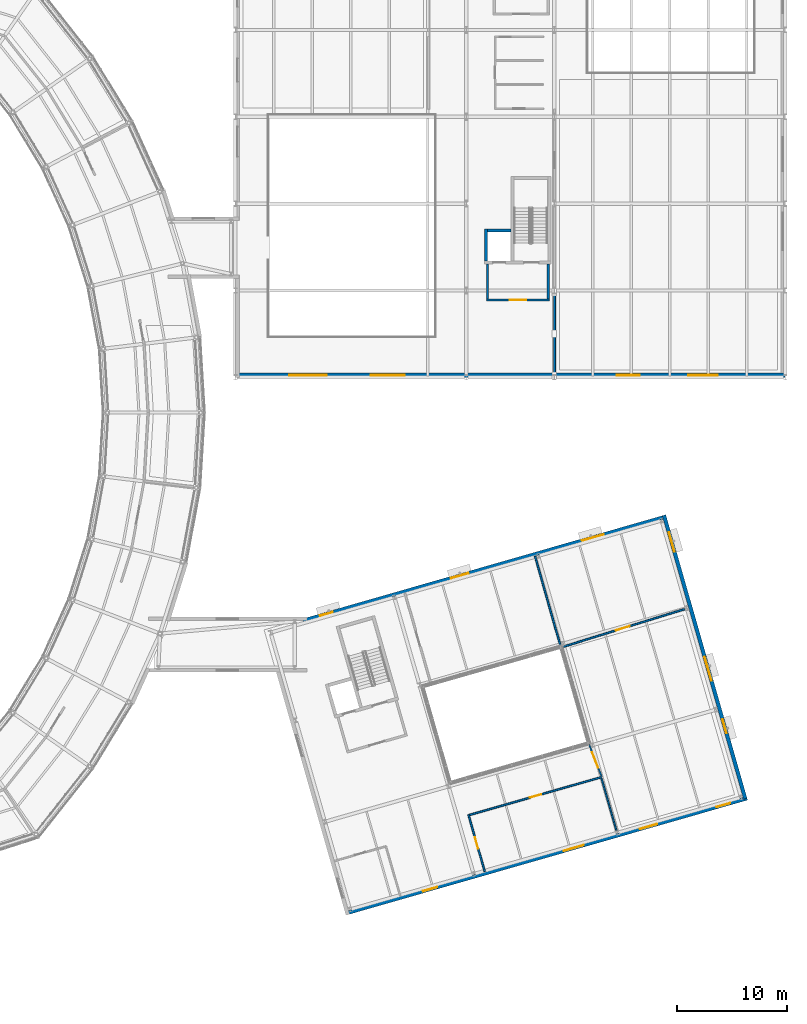
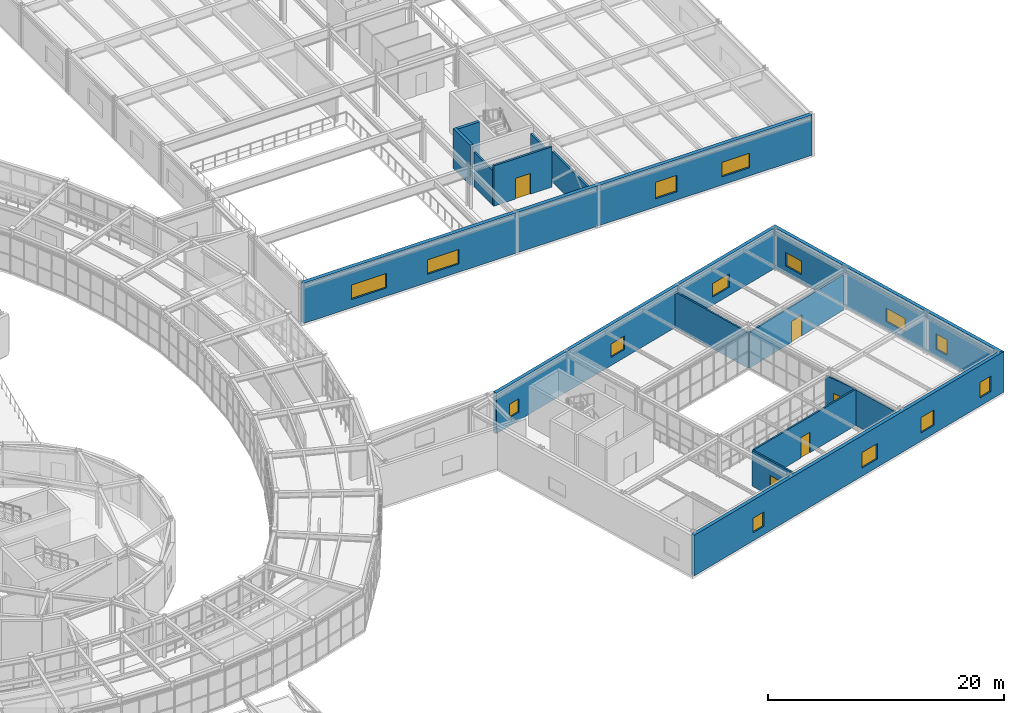
# One storey, part 82 of 103: 16 walls, 14 windows, 5 doors, 19 openings.
"""IFC4 building model written with IfcOpenShell, lengths in metres."""

import ifcopenshell
import ifcopenshell.guid

model = None  # the IFC model being written
_history = None  # IfcOwnerHistory: only IFC2X3 demands one
_inside = {}  # id of a spatial element -> (the spatial element, [elements in it])
_under = {}  # id of a project, library or spatial element -> (it, [spatial elements below it])
_declared = {}  # id of a project -> (the project, [libraries it declares])
_typed = {}  # id of a type object -> (the type object, [elements of that type])
_made_of = {}  # id of a material, layer set ... -> (it, [elements and type objects made of it])


def new_model(schema):
    """Start an empty IFC model of exactly this schema.

    Asked for "IFC4X3", IfcOpenShell would pick the latest addendum, in which some entities
    have other attributes; the version numbers below select the first issue.
    IFC2X3 requires an IfcOwnerHistory on every rooted entity: one is made here for all.
    """
    global model, _history
    if schema == "IFC4X3":
        model = ifcopenshell.file(schema_version=(4, 3, 0, 0))
    else:
        model = ifcopenshell.file(schema=schema)
    _inside.clear()
    _under.clear()
    _declared.clear()
    _typed.clear()
    _made_of.clear()
    _history = None
    if model.schema == "IFC2X3":
        org = make("IfcOrganization", Name="unknown")
        user = make(
            "IfcPersonAndOrganization",
            ThePerson=make("IfcPerson", FamilyName="unknown"),
            TheOrganization=org,
        )
        app = make(
            "IfcApplication",
            ApplicationDeveloper=org,
            Version="unknown",
            ApplicationFullName="unknown",
            ApplicationIdentifier="unknown",
        )
        _history = make(
            "IfcOwnerHistory",
            OwningUser=user,
            OwningApplication=app,
            ChangeAction="ADDED",
            CreationDate=0,
        )
    return model


def make(cls, **values):
    """One entity of the class cls with the attributes given. An attribute that is None is left unset."""
    return model.create_entity(
        cls, **{name: value for name, value in values.items() if value is not None}
    )


def rooted(cls, **values):
    """An entity with a GlobalId (a new one), such as an element, a storey or a relation."""
    return make(cls, GlobalId=ifcopenshell.guid.new(), OwnerHistory=_history, **values)


def si_unit(unit_type, name, prefix=None):
    """IfcSIUnit, for example si_unit("LENGTHUNIT", "METRE", prefix="MILLI")."""
    return make("IfcSIUnit", UnitType=unit_type, Prefix=prefix, Name=name)


def assignment(units):
    """IfcUnitAssignment: the units of a project."""
    return None if units is None else make("IfcUnitAssignment", Units=units)


def point(xyz):
    """IfcCartesianPoint."""
    return None if xyz is None else make("IfcCartesianPoint", Coordinates=xyz)


def direction(xyz):
    """IfcDirection."""
    return None if xyz is None else make("IfcDirection", DirectionRatios=xyz)


def frame(location, z_axis=None, x_axis=None):
    """IfcAxis2Placement3D, a coordinate frame: its origin and axes. An axis left out is left unset."""
    return make(
        "IfcAxis2Placement3D",
        Location=point(location),
        Axis=direction(z_axis),
        RefDirection=direction(x_axis),
    )


def frame_2d(location, x_axis=None):
    """IfcAxis2Placement2D, a coordinate frame in the plane: its origin and x axis."""
    return make(
        "IfcAxis2Placement2D", Location=point(location), RefDirection=direction(x_axis)
    )


def origin():
    """The frame at (0, 0, 0) with its axes left unset."""
    return frame((0.0, 0.0, 0.0))


def place(relative_to, where):
    """IfcLocalPlacement: puts the frame where relative to a parent placement (None: the world)."""
    return make(
        "IfcLocalPlacement", PlacementRelTo=relative_to, RelativePlacement=where
    )


def context(
    kind, dimensions, precision=None, world=None, true_north=None, identifier=None
):
    """IfcGeometricRepresentationContext, for example the 3D "Model" context."""
    return make(
        "IfcGeometricRepresentationContext",
        ContextIdentifier=identifier,
        ContextType=kind,
        CoordinateSpaceDimension=dimensions,
        Precision=precision,
        WorldCoordinateSystem=world,
        TrueNorth=true_north,
    )


def subcontext(parent, identifier, kind, view, scale=None):
    """IfcGeometricRepresentationSubContext, for example "Body" below "Model"."""
    return make(
        "IfcGeometricRepresentationSubContext",
        ContextIdentifier=identifier,
        ContextType=kind,
        ParentContext=parent,
        TargetScale=scale,
        TargetView=view,
    )


def project(units=None, contexts=None):
    """IfcProject with its units and contexts."""
    return rooted(
        "IfcProject",
        Name="project",
        RepresentationContexts=contexts,
        UnitsInContext=assignment(units),
    )


def spatial(cls, under=None, at=None, **own):
    """A site, building, storey or space (cls), placed at a placement, below another one or the project."""
    s = rooted(cls, ObjectPlacement=at, **own)
    if under is not None:
        _under.setdefault(under.id(), (under, []))[1].append(s)
    return s


def profile(cls, at=None, kind="AREA", **sizes):
    """A parametric profile (cls). Its sizes go by their IFC names, for example OverallWidth=200.0."""
    return make(cls, ProfileType=kind, Position=at, **sizes)


def rectangle(**sizes):
    """IfcRectangleProfileDef."""
    return profile("IfcRectangleProfileDef", **sizes)


def extrude(swept, where, along, depth):
    """IfcExtrudedAreaSolid: the profile swept, set in the frame where, extruded along a direction by depth."""
    return make(
        "IfcExtrudedAreaSolid",
        SweptArea=swept,
        Position=where,
        ExtrudedDirection=direction(along),
        Depth=depth,
    )


def shape(context_of_items, identifier, shape_type, items):
    """IfcShapeRepresentation: the items that make up one representation, for example the "Body"."""
    return make(
        "IfcShapeRepresentation",
        ContextOfItems=context_of_items,
        RepresentationIdentifier=identifier,
        RepresentationType=shape_type,
        Items=items,
    )


def material(Name=None, Category=None):
    """IfcMaterial."""
    return make("IfcMaterial", Name=Name, Category=Category)


def layer(
    of_material, thickness, ventilated=None, Name=None, Category=None, Priority=None
):
    """IfcMaterialLayer: one layer of a wall or slab, of a material (None: an air gap)."""
    return make(
        "IfcMaterialLayer",
        Material=of_material,
        LayerThickness=thickness,
        IsVentilated=ventilated,
        Name=Name,
        Category=Category,
        Priority=Priority,
    )


def layer_set(layers, Name=None):
    """IfcMaterialLayerSet."""
    return make("IfcMaterialLayerSet", MaterialLayers=layers, LayerSetName=Name)


def made_of(thing, what):
    """Note that an element or type object is made of a material, layer set ...; save() writes the relation."""
    if what is not None:
        _made_of.setdefault(what.id(), (what, []))[1].append(thing)
    return thing


def type_object(cls, material=None, **own):
    """A type object (cls), such as IfcWallType, which elements share."""
    return made_of(rooted(cls, **own), material)


def element(
    cls,
    number,
    at=None,
    inside=None,
    cuts=None,
    type_object=None,
    material=None,
    context=None,
    identifier="Body",
    shape_type=None,
    held_by="IfcProductDefinitionShape",
    body=None,
    shapes=None,
    **own,
):
    """One element of the class cls, such as IfcWall. Its Tag is "e" and its number.

    at: its placement. inside: the storey or other place that contains it. cuts: it is an
    opening in that element (IfcRelVoidsElement). A single representation is given by context,
    identifier, shape_type and body (its items); several are given by shapes. held_by: the class
    of the entity that holds the representations. save() writes the other relations.
    """
    e = rooted(cls, Tag="e%d" % number, ObjectPlacement=at, **own)
    if body is not None:
        shapes = [shape(context, identifier, shape_type, body)]
    if shapes is not None:
        e.Representation = make(held_by, Representations=shapes)
    if inside is not None:
        _inside.setdefault(inside.id(), (inside, []))[1].append(e)
    if cuts is not None:
        rooted(
            "IfcRelVoidsElement", RelatingBuildingElement=cuts, RelatedOpeningElement=e
        )
    if type_object is not None:
        _typed.setdefault(type_object.id(), (type_object, []))[1].append(e)
    return made_of(e, material)


def fill(opening, filler):
    """IfcRelFillsElement: the door or window that sits in an opening."""
    return rooted(
        "IfcRelFillsElement",
        RelatingOpeningElement=opening,
        RelatedBuildingElement=filler,
    )


def aggregate(whole, parts):
    """IfcRelAggregates: a whole, such as a stair, and the parts it consists of."""
    return rooted("IfcRelAggregates", RelatingObject=whole, RelatedObjects=parts)


def save(model, path):
    """Write the relations noted so far, then the file.

    IfcRelAggregates (storeys below a building ...), IfcRelContainedInSpatialStructure (elements
    in a storey), IfcRelDefinesByType, IfcRelAssociatesMaterial and IfcRelDeclares: one each for
    every whole, place, type object, material and project.
    """
    for whole, parts in _under.values():
        aggregate(whole, parts)
    for where, things in _inside.values():
        rooted(
            "IfcRelContainedInSpatialStructure",
            RelatedElements=things,
            RelatingStructure=where,
        )
    for kind, things in _typed.values():
        rooted("IfcRelDefinesByType", RelatedObjects=things, RelatingType=kind)
    for what, things in _made_of.values():
        rooted("IfcRelAssociatesMaterial", RelatedObjects=things, RelatingMaterial=what)
    for by, libraries in _declared.values():
        rooted("IfcRelDeclares", RelatingContext=by, RelatedDefinitions=libraries)
    model.write(path)


model = new_model("IFC4")

# Units and contexts
model_context = context("Model", 3, precision=1e-05, world=origin(), true_north=direction((0.0, 1.0)))
body_context = subcontext(model_context, "Body", "Model", "MODEL_VIEW")
ifc_project = project(units=[si_unit("LENGTHUNIT", "METRE"), si_unit("AREAUNIT", "SQUARE_METRE"), si_unit("VOLUMEUNIT", "CUBIC_METRE"), si_unit("PLANEANGLEUNIT", "RADIAN"), si_unit("MASSUNIT", "GRAM", prefix="KILO")], contexts=[model_context])

# Site, building, storey
site_placement = place(None, origin())
site = spatial("IfcSite", under=ifc_project, at=site_placement, CompositionType="ELEMENT")
building_placement = place(site_placement, origin())
building = spatial("IfcBuilding", under=site, at=building_placement, Name="Varnklinge Art Gallery", CompositionType="ELEMENT")
storey_placement = place(building_placement, frame((0.0, 0.0, 5.10009765625)))
storey = spatial("IfcBuildingStorey", under=building, at=storey_placement, Name="L01", CompositionType="ELEMENT", Elevation=5.10009765625)

# Wall, openings, windows
ifc_material_1 = material(Name="Precast concrete C40/50", Category="concrete")
ifc_layer_1 = layer(ifc_material_1, 0.340087890625)
ifc_layer_set_1 = layer_set([ifc_layer_1], Name="Precast concrete C40/50")
wall_type_1 = type_object("IfcWallType", Name="EW-34", PredefinedType="SOLIDWALL", material=ifc_layer_set_1)
wall_1_placement = place(storey_placement, frame((120.5615234375, 36.080078125, 0.0), z_axis=(0.0, 0.0, 1.0), x_axis=(0.96126158877, 0.275637729557, 0.0)))
wall_1 = element("IfcWall", 1, at=wall_1_placement, inside=storey, type_object=wall_type_1, Name="L01 Exterior Wall EW-V6-L01-02", PredefinedType="SOLIDWALL", context=body_context, shape_type="SweptSolid", body=[
    extrude(rectangle(XDim=34.189208984375, YDim=0.340087890625, at=frame_2d((17.0947265625, 0.0))), origin(), (0.0, 0.0, 1.0), 4.199951171875),
])
opening_1_placement = place(wall_1_placement, frame((1.60009765625, 0.0, 0.85009765625)))
opening_1 = element("IfcOpeningElement", 2, at=opening_1_placement, cuts=wall_1, Name="Opening WN-21", PredefinedType="OPENING", context=body_context, shape_type="SweptSolid", body=[
    extrude(rectangle(XDim=1.199951171875, YDim=1.39990234375, at=frame_2d((0.60009765625, 0.699951171875))), frame((0.0, 0.179931640625, 0.0), z_axis=(0.0, -1.0, 0.0), x_axis=(1.0, 0.0, 0.0)), (0.0, 0.0, 1.0), 0.360107421875),
])
opening_2_placement = place(wall_1_placement, frame((13.99560546875, 0.0, 0.85009765625)))
opening_2 = element("IfcOpeningElement", 3, at=opening_2_placement, cuts=wall_1, Name="Opening WN-23", PredefinedType="OPENING", context=body_context, shape_type="SweptSolid", body=[
    extrude(rectangle(XDim=1.64990234375, YDim=1.39990234375, at=frame_2d((0.824951171875, 0.699951171875))), frame((0.0, 0.179931640625, 0.0), z_axis=(0.0, -1.0, 0.0), x_axis=(1.0, 0.0, 0.0)), (0.0, 0.0, 1.0), 0.360107421875),
])
opening_3_placement = place(wall_1_placement, frame((26.391357421875, 0.0, 0.85009765625)))
opening_3 = element("IfcOpeningElement", 4, at=opening_3_placement, cuts=wall_1, Name="Opening WN-25", PredefinedType="OPENING", context=body_context, shape_type="SweptSolid", body=[
    extrude(rectangle(XDim=2.050048828125, YDim=1.39990234375, at=frame_2d((1.02490234375, 0.699951171875))), frame((0.0, 0.179931640625, 0.0), z_axis=(0.0, -1.0, 0.0), x_axis=(1.0, 0.0, 0.0)), (0.0, 0.0, 1.0), 0.360107421875),
])
ifc_material_2 = material(Name="Insulated Low-E Triple Glazing", Category="glass")
window_type_1 = type_object("IfcWindowType", Name="WN-21", PartitioningType="SINGLE_PANEL", PredefinedType="WINDOW", material=ifc_material_2)
window_1_placement = place(opening_1_placement, origin())
window_1 = element("IfcWindow", 5, at=window_1_placement, inside=storey, type_object=window_type_1, Name="L01 Window WIN-L01-164", OverallHeight=1.39990234375, OverallWidth=1.199951171875, PartitioningType="SINGLE_PANEL", PredefinedType="WINDOW", context=body_context, shape_type="SweptSolid", body=[
    extrude(rectangle(XDim=1.199951171875, YDim=1.39990234375, at=frame_2d((0.60009765625, 0.699951171875))), frame((0.0, 0.030029296875, 0.0), z_axis=(0.0, -1.0, 0.0), x_axis=(1.0, 0.0, 0.0)), (0.0, 0.0, 1.0), 0.06005859375),
])
fill(opening_1, window_1)
ifc_material_3 = material(Name="Insulated Low-E Triple Glazing", Category="glass")
window_type_2 = type_object("IfcWindowType", Name="WN-23", PartitioningType="SINGLE_PANEL", PredefinedType="WINDOW", material=ifc_material_3)
window_2_placement = place(opening_2_placement, origin())
window_2 = element("IfcWindow", 6, at=window_2_placement, inside=storey, type_object=window_type_2, Name="L01 Window WIN-L01-165", OverallHeight=1.39990234375, OverallWidth=1.64990234375, PartitioningType="SINGLE_PANEL", PredefinedType="WINDOW", context=body_context, shape_type="SweptSolid", body=[
    extrude(rectangle(XDim=1.64990234375, YDim=1.39990234375, at=frame_2d((0.824951171875, 0.699951171875))), frame((0.0, 0.030029296875, 0.0), z_axis=(0.0, -1.0, 0.0), x_axis=(1.0, 0.0, 0.0)), (0.0, 0.0, 1.0), 0.06005859375),
])
fill(opening_2, window_2)
ifc_material_4 = material(Name="Insulated Low-E Triple Glazing", Category="glass")
window_type_3 = type_object("IfcWindowType", Name="WN-25", PartitioningType="SINGLE_PANEL", PredefinedType="WINDOW", material=ifc_material_4)
window_3_placement = place(opening_3_placement, origin())
window_3 = element("IfcWindow", 7, at=window_3_placement, inside=storey, type_object=window_type_3, Name="L01 Window WIN-L01-166", OverallHeight=1.39990234375, OverallWidth=2.050048828125, PartitioningType="SINGLE_PANEL", PredefinedType="WINDOW", context=body_context, shape_type="SweptSolid", body=[
    extrude(rectangle(XDim=2.050048828125, YDim=1.39990234375, at=frame_2d((1.02490234375, 0.699951171875))), frame((0.0, 0.030029296875, 0.0), z_axis=(0.0, -1.0, 0.0), x_axis=(1.0, 0.0, 0.0)), (0.0, 0.0, 1.0), 0.06005859375),
])
fill(opening_3, window_3)

wall_2_placement = place(storey_placement, frame((153.37939453125, 45.667236328125, 0.0), z_axis=(0.0, 0.0, 1.0), x_axis=(0.275644006198, -0.961259788947, 0.0)))
wall_2 = element("IfcWall", 8, at=wall_2_placement, inside=storey, type_object=wall_type_1, Name="L01 Exterior Wall EW-V6-L01-03", PredefinedType="SOLIDWALL", context=body_context, shape_type="SweptSolid", body=[
    extrude(rectangle(XDim=26.829833984375, YDim=0.340087890625, at=frame_2d((13.4150390625, 0.0))), origin(), (0.0, 0.0, 1.0), 4.199951171875),
])
opening_4_placement = place(wall_2_placement, frame((1.60009765625, 0.0, 0.85009765625)))
opening_4 = element("IfcOpeningElement", 9, at=opening_4_placement, cuts=wall_2, Name="Opening WN-24", PredefinedType="OPENING", context=body_context, shape_type="SweptSolid", body=[
    extrude(rectangle(XDim=1.85009765625, YDim=1.39990234375, at=frame_2d((0.925048828125, 0.699951171875))), frame((0.0, 0.179931640625, 0.0), z_axis=(0.0, -1.0, 0.0), x_axis=(1.0, 0.0, 0.0)), (0.0, 0.0, 1.0), 0.360107421875),
])
opening_5_placement = place(wall_2_placement, frame((13.414794921875, 0.0, 0.85009765625)))
opening_5 = element("IfcOpeningElement", 10, at=opening_5_placement, cuts=wall_2, Name="Opening WN-26", PredefinedType="OPENING", context=body_context, shape_type="SweptSolid", body=[
    extrude(rectangle(XDim=2.25, YDim=1.39990234375, at=frame_2d((1.125, 0.699951171875))), frame((0.0, 0.179931640625, 0.0), z_axis=(0.0, -1.0, 0.0), x_axis=(1.0, 0.0, 0.0)), (0.0, 0.0, 1.0), 0.360107421875),
])
opening_6_placement = place(wall_2_placement, frame((19.322509765625, 0.0, 0.85009765625)))
opening_6 = element("IfcOpeningElement", 11, at=opening_6_placement, cuts=wall_2, Name="Opening WN-27", PredefinedType="OPENING", context=body_context, shape_type="SweptSolid", body=[
    extrude(rectangle(XDim=1.300048828125, YDim=1.60009765625, at=frame_2d((0.64990234375, 0.800048828125))), frame((0.0, 0.179931640625, 0.0), z_axis=(0.0, -1.0, 0.0), x_axis=(1.0, 0.0, 0.0)), (0.0, 0.0, 1.0), 0.360107421875),
])
ifc_material_5 = material(Name="Insulated Low-E Triple Glazing", Category="glass")
window_type_4 = type_object("IfcWindowType", Name="WN-24", PartitioningType="SINGLE_PANEL", PredefinedType="WINDOW", material=ifc_material_5)
window_4_placement = place(opening_4_placement, origin())
window_4 = element("IfcWindow", 12, at=window_4_placement, inside=storey, type_object=window_type_4, Name="L01 Window WIN-L01-167", OverallHeight=1.39990234375, OverallWidth=1.85009765625, PartitioningType="SINGLE_PANEL", PredefinedType="WINDOW", context=body_context, shape_type="SweptSolid", body=[
    extrude(rectangle(XDim=1.85009765625, YDim=1.39990234375, at=frame_2d((0.925048828125, 0.699951171875))), frame((0.0, 0.030029296875, 0.0), z_axis=(0.0, -1.0, 0.0), x_axis=(1.0, 0.0, 0.0)), (0.0, 0.0, 1.0), 0.06005859375),
])
fill(opening_4, window_4)
ifc_material_6 = material(Name="Insulated Low-E Triple Glazing", Category="glass")
window_type_5 = type_object("IfcWindowType", Name="WN-26", PartitioningType="SINGLE_PANEL", PredefinedType="WINDOW", material=ifc_material_6)
window_5_placement = place(opening_5_placement, origin())
window_5 = element("IfcWindow", 13, at=window_5_placement, inside=storey, type_object=window_type_5, Name="L01 Window WIN-L01-168", OverallHeight=1.39990234375, OverallWidth=2.25, PartitioningType="SINGLE_PANEL", PredefinedType="WINDOW", context=body_context, shape_type="SweptSolid", body=[
    extrude(rectangle(XDim=2.25, YDim=1.39990234375, at=frame_2d((1.125, 0.699951171875))), frame((0.0, 0.030029296875, 0.0), z_axis=(0.0, -1.0, 0.0), x_axis=(1.0, 0.0, 0.0)), (0.0, 0.0, 1.0), 0.06005859375),
])
fill(opening_5, window_5)
ifc_material_7 = material(Name="Insulated Low-E Triple Glazing", Category="glass")
window_type_6 = type_object("IfcWindowType", Name="WN-27", PartitioningType="SINGLE_PANEL", PredefinedType="WINDOW", material=ifc_material_7)
window_6_placement = place(opening_6_placement, origin())
window_6 = element("IfcWindow", 14, at=window_6_placement, inside=storey, type_object=window_type_6, Name="L01 Window WIN-L01-169", OverallHeight=1.60009765625, OverallWidth=1.300048828125, PartitioningType="SINGLE_PANEL", PredefinedType="WINDOW", context=body_context, shape_type="SweptSolid", body=[
    extrude(rectangle(XDim=1.300048828125, YDim=1.60009765625, at=frame_2d((0.64990234375, 0.800048828125))), frame((0.0, 0.030029296875, 0.0), z_axis=(0.0, -1.0, 0.0), x_axis=(1.0, 0.0, 0.0)), (0.0, 0.0, 1.0), 0.06005859375),
])
fill(opening_6, window_6)

wall_3_placement = place(storey_placement, frame((160.938232421875, 19.923583984375, 0.0), z_axis=(0.0, 0.0, 1.0), x_axis=(-0.961260735733, -0.275640704428, 0.0)))
wall_3 = element("IfcWall", 15, at=wall_3_placement, inside=storey, type_object=wall_type_1, Name="L01 Exterior Wall EW-V6-L01-04", PredefinedType="SOLIDWALL", context=body_context, shape_type="SweptSolid", body=[
    extrude(rectangle(XDim=37.830078125, YDim=0.340087890625, at=frame_2d((18.9150390625, 0.0))), origin(), (0.0, 0.0, 1.0), 4.199951171875),
])
opening_7_placement = place(wall_3_placement, frame((1.60009765625, 0.0, 0.85009765625)))
opening_7 = element("IfcOpeningElement", 16, at=opening_7_placement, cuts=wall_3, Name="Opening WN-27", PredefinedType="OPENING", context=body_context, shape_type="SweptSolid", body=[
    extrude(rectangle(XDim=1.300048828125, YDim=1.60009765625, at=frame_2d((0.64990234375, 0.800048828125))), frame((0.0, 0.179931640625, 0.0), z_axis=(0.0, -1.0, 0.0), x_axis=(1.0, 0.0, 0.0)), (0.0, 0.0, 1.0), 0.360107421875),
])
opening_8_placement = place(wall_3_placement, frame((8.52587890625, 0.0, 0.85009765625)))
opening_8 = element("IfcOpeningElement", 17, at=opening_8_placement, cuts=wall_3, Name="Opening WN-28", PredefinedType="OPENING", context=body_context, shape_type="SweptSolid", body=[
    extrude(rectangle(XDim=1.60009765625, YDim=1.60009765625, at=frame_2d((0.800048828125, 0.800048828125))), frame((0.0, 0.179931640625, 0.0), z_axis=(0.0, -1.0, 0.0), x_axis=(1.0, 0.0, 0.0)), (0.0, 0.0, 1.0), 0.360107421875),
])
opening_9_placement = place(wall_3_placement, frame((15.451904296875, 0.0, 0.85009765625)))
opening_9 = element("IfcOpeningElement", 18, at=opening_9_placement, cuts=wall_3, Name="Opening WN-29", PredefinedType="OPENING", context=body_context, shape_type="SweptSolid", body=[
    extrude(rectangle(XDim=1.89990234375, YDim=1.60009765625, at=frame_2d((0.949951171875, 0.800048828125))), frame((0.0, 0.179931640625, 0.0), z_axis=(0.0, -1.0, 0.0), x_axis=(1.0, 0.0, 0.0)), (0.0, 0.0, 1.0), 0.360107421875),
])
opening_10_placement = place(wall_3_placement, frame((29.303955078125, 0.0, 0.85009765625)))
opening_10 = element("IfcOpeningElement", 19, at=opening_10_placement, cuts=wall_3, Name="Opening WN-02", PredefinedType="OPENING", context=body_context, shape_type="SweptSolid", body=[
    extrude(rectangle(XDim=1.35009765625, YDim=1.5, at=frame_2d((0.675048828125, 0.75))), frame((0.0, 0.179931640625, 0.0), z_axis=(0.0, -1.0, 0.0), x_axis=(1.0, 0.0, 0.0)), (0.0, 0.0, 1.0), 0.360107421875),
])
ifc_material_8 = material(Name="Insulated Low-E Triple Glazing", Category="glass")
window_type_7 = type_object("IfcWindowType", Name="WN-02", PartitioningType="SINGLE_PANEL", PredefinedType="WINDOW", material=ifc_material_8)
window_7_placement = place(opening_10_placement, origin())
window_7 = element("IfcWindow", 20, at=window_7_placement, inside=storey, type_object=window_type_7, Name="L01 Window WIN-L01-173", OverallHeight=1.5, OverallWidth=1.35009765625, PartitioningType="SINGLE_PANEL", PredefinedType="WINDOW", context=body_context, shape_type="SweptSolid", body=[
    extrude(rectangle(XDim=1.35009765625, YDim=1.5, at=frame_2d((0.675048828125, 0.75))), frame((0.0, 0.030029296875, 0.0), z_axis=(0.0, -1.0, 0.0), x_axis=(1.0, 0.0, 0.0)), (0.0, 0.0, 1.0), 0.06005859375),
])
fill(opening_10, window_7)
window_8_placement = place(opening_7_placement, origin())
window_8 = element("IfcWindow", 21, at=window_8_placement, inside=storey, type_object=window_type_6, Name="L01 Window WIN-L01-170", OverallHeight=1.60009765625, OverallWidth=1.300048828125, PartitioningType="SINGLE_PANEL", PredefinedType="WINDOW", context=body_context, shape_type="SweptSolid", body=[
    extrude(rectangle(XDim=1.300048828125, YDim=1.60009765625, at=frame_2d((0.64990234375, 0.800048828125))), frame((0.0, 0.030029296875, 0.0), z_axis=(0.0, -1.0, 0.0), x_axis=(1.0, 0.0, 0.0)), (0.0, 0.0, 1.0), 0.06005859375),
])
fill(opening_7, window_8)
ifc_material_9 = material(Name="Insulated Low-E Triple Glazing", Category="glass")
window_type_8 = type_object("IfcWindowType", Name="WN-28", PartitioningType="SINGLE_PANEL", PredefinedType="WINDOW", material=ifc_material_9)
window_9_placement = place(opening_8_placement, origin())
window_9 = element("IfcWindow", 22, at=window_9_placement, inside=storey, type_object=window_type_8, Name="L01 Window WIN-L01-171", OverallHeight=1.60009765625, OverallWidth=1.60009765625, PartitioningType="SINGLE_PANEL", PredefinedType="WINDOW", context=body_context, shape_type="SweptSolid", body=[
    extrude(rectangle(XDim=1.60009765625, YDim=1.60009765625, at=frame_2d((0.800048828125, 0.800048828125))), frame((0.0, 0.030029296875, 0.0), z_axis=(0.0, -1.0, 0.0), x_axis=(1.0, 0.0, 0.0)), (0.0, 0.0, 1.0), 0.06005859375),
])
fill(opening_8, window_9)
ifc_material_10 = material(Name="Insulated Low-E Triple Glazing", Category="glass")
window_type_9 = type_object("IfcWindowType", Name="WN-29", PartitioningType="SINGLE_PANEL", PredefinedType="WINDOW", material=ifc_material_10)
window_10_placement = place(opening_9_placement, origin())
window_10 = element("IfcWindow", 23, at=window_10_placement, inside=storey, type_object=window_type_9, Name="L01 Window WIN-L01-172", OverallHeight=1.60009765625, OverallWidth=1.89990234375, PartitioningType="SINGLE_PANEL", PredefinedType="WINDOW", context=body_context, shape_type="SweptSolid", body=[
    extrude(rectangle(XDim=1.89990234375, YDim=1.60009765625, at=frame_2d((0.949951171875, 0.800048828125))), frame((0.0, 0.030029296875, 0.0), z_axis=(0.0, -1.0, 0.0), x_axis=(1.0, 0.0, 0.0)), (0.0, 0.0, 1.0), 0.06005859375),
])
fill(opening_9, window_10)

ifc_material_11 = material(Name="Concrete C40/50", Category="concrete")
ifc_layer_2 = layer(ifc_material_11, 0.3798828125)
ifc_layer_set_2 = layer_set([ifc_layer_2], Name="Concrete C40/50")
wall_type_2 = type_object("IfcWallType", Name="EW-38", PredefinedType="SOLIDWALL", material=ifc_layer_set_2)
wall_4_placement = place(storey_placement, frame((164.39990234375, 58.389892578125, 0.0), z_axis=(0.0, 0.0, 1.0), x_axis=(-1.0, 0.0, 0.0)))
wall_4 = element("IfcWall", 24, at=wall_4_placement, inside=storey, type_object=wall_type_2, Name="L01 Exterior Wall EW-V1-L01-05", PredefinedType="SOLIDWALL", context=body_context, shape_type="SweptSolid", body=[
    extrude(rectangle(XDim=49.809814453125, YDim=0.3798828125, at=frame_2d((24.90478515625, 0.0))), origin(), (0.0, 0.0, 1.0), 4.169921875),
])
opening_11_placement = place(wall_4_placement, frame((6.11572265625, 0.0, 0.85009765625)))
opening_11 = element("IfcOpeningElement", 25, at=opening_11_placement, cuts=wall_4, Name="Opening WN-08", PredefinedType="OPENING", context=body_context, shape_type="SweptSolid", body=[
    extrude(rectangle(XDim=2.699951171875, YDim=1.5, at=frame_2d((1.35009765625, 0.75))), frame((0.0, 0.199951171875, 0.0), z_axis=(0.0, -1.0, 0.0), x_axis=(1.0, 0.0, 0.0)), (0.0, 0.0, 1.0), 0.39990234375),
])
opening_12_placement = place(wall_4_placement, frame((13.2314453125, 0.0, 0.85009765625)))
opening_12 = element("IfcOpeningElement", 26, at=opening_12_placement, cuts=wall_4, Name="Opening WN-12", PredefinedType="OPENING", context=body_context, shape_type="SweptSolid", body=[
    extrude(rectangle(XDim=2.10009765625, YDim=1.699951171875, at=frame_2d((1.050048828125, 0.85009765625))), frame((0.0, 0.199951171875, 0.0), z_axis=(0.0, -1.0, 0.0), x_axis=(1.0, 0.0, 0.0)), (0.0, 0.0, 1.0), 0.39990234375),
])
opening_13_placement = place(wall_4_placement, frame((34.57861328125, 0.0, 0.85009765625)))
opening_13 = element("IfcOpeningElement", 27, at=opening_13_placement, cuts=wall_4, Name="Opening WN-19", PredefinedType="OPENING", context=body_context, shape_type="SweptSolid", body=[
    extrude(rectangle(XDim=3.10009765625, YDim=1.5, at=frame_2d((1.550048828125, 0.75))), frame((0.0, 0.199951171875, 0.0), z_axis=(0.0, -1.0, 0.0), x_axis=(1.0, 0.0, 0.0)), (0.0, 0.0, 1.0), 0.39990234375),
])
opening_14_placement = place(wall_4_placement, frame((41.6943359375, 0.0, 0.85009765625)))
opening_14 = element("IfcOpeningElement", 28, at=opening_14_placement, cuts=wall_4, Name="Opening WN-20", PredefinedType="OPENING", context=body_context, shape_type="SweptSolid", body=[
    extrude(rectangle(XDim=3.39990234375, YDim=1.5, at=frame_2d((1.699951171875, 0.75))), frame((0.0, 0.199951171875, 0.0), z_axis=(0.0, -1.0, 0.0), x_axis=(1.0, 0.0, 0.0)), (0.0, 0.0, 1.0), 0.39990234375),
])
ifc_material_12 = material(Name="Insulated Low-E Triple Glazing", Category="glass")
window_type_10 = type_object("IfcWindowType", Name="WN-08", PartitioningType="SINGLE_PANEL", PredefinedType="WINDOW", material=ifc_material_12)
window_11_placement = place(opening_11_placement, origin())
window_11 = element("IfcWindow", 29, at=window_11_placement, inside=storey, type_object=window_type_10, Name="L01 Window WIN-L01-025", OverallHeight=1.5, OverallWidth=2.699951171875, PartitioningType="SINGLE_PANEL", PredefinedType="WINDOW", context=body_context, shape_type="SweptSolid", body=[
    extrude(rectangle(XDim=2.699951171875, YDim=1.5, at=frame_2d((1.35009765625, 0.75))), frame((0.0, 0.030029296875, 0.0), z_axis=(0.0, -1.0, 0.0), x_axis=(1.0, 0.0, 0.0)), (0.0, 0.0, 1.0), 0.06005859375),
])
fill(opening_11, window_11)
ifc_material_13 = material(Name="Insulated Low-E Triple Glazing", Category="glass")
window_type_11 = type_object("IfcWindowType", Name="WN-12", PartitioningType="SINGLE_PANEL", PredefinedType="WINDOW", material=ifc_material_13)
window_12_placement = place(opening_12_placement, origin())
window_12 = element("IfcWindow", 30, at=window_12_placement, inside=storey, type_object=window_type_11, Name="L01 Window WIN-L01-026", OverallHeight=1.699951171875, OverallWidth=2.10009765625, PartitioningType="SINGLE_PANEL", PredefinedType="WINDOW", context=body_context, shape_type="SweptSolid", body=[
    extrude(rectangle(XDim=2.10009765625, YDim=1.699951171875, at=frame_2d((1.050048828125, 0.85009765625))), frame((0.0, 0.030029296875, 0.0), z_axis=(0.0, -1.0, 0.0), x_axis=(1.0, 0.0, 0.0)), (0.0, 0.0, 1.0), 0.06005859375),
])
fill(opening_12, window_12)
ifc_material_14 = material(Name="Insulated Low-E Triple Glazing", Category="glass")
window_type_12 = type_object("IfcWindowType", Name="WN-19", PartitioningType="SINGLE_PANEL", PredefinedType="WINDOW", material=ifc_material_14)
window_13_placement = place(opening_13_placement, origin())
window_13 = element("IfcWindow", 31, at=window_13_placement, inside=storey, type_object=window_type_12, Name="L01 Window WIN-L01-027", OverallHeight=1.5, OverallWidth=3.10009765625, PartitioningType="SINGLE_PANEL", PredefinedType="WINDOW", context=body_context, shape_type="SweptSolid", body=[
    extrude(rectangle(XDim=3.10009765625, YDim=1.5, at=frame_2d((1.550048828125, 0.75))), frame((0.0, 0.030029296875, 0.0), z_axis=(0.0, -1.0, 0.0), x_axis=(1.0, 0.0, 0.0)), (0.0, 0.0, 1.0), 0.06005859375),
])
fill(opening_13, window_13)
ifc_material_15 = material(Name="Insulated Low-E Triple Glazing", Category="glass")
window_type_13 = type_object("IfcWindowType", Name="WN-20", PartitioningType="SINGLE_PANEL", PredefinedType="WINDOW", material=ifc_material_15)
window_14_placement = place(opening_14_placement, origin())
window_14 = element("IfcWindow", 32, at=window_14_placement, inside=storey, type_object=window_type_13, Name="L01 Window WIN-L01-028", OverallHeight=1.5, OverallWidth=3.39990234375, PartitioningType="SINGLE_PANEL", PredefinedType="WINDOW", context=body_context, shape_type="SweptSolid", body=[
    extrude(rectangle(XDim=3.39990234375, YDim=1.5, at=frame_2d((1.699951171875, 0.75))), frame((0.0, 0.030029296875, 0.0), z_axis=(0.0, -1.0, 0.0), x_axis=(1.0, 0.0, 0.0)), (0.0, 0.0, 1.0), 0.06005859375),
])
fill(opening_14, window_14)

# Wall, opening, door
ifc_material_16 = material(Name="Gypsum Board Partition", Category="gypsum")
ifc_layer_3 = layer(ifc_material_16, 0.139892578125)
ifc_layer_set_3 = layer_set([ifc_layer_3], Name="Gypsum Board Partition")
wall_type_3 = type_object("IfcWallType", Name="IW-14", PredefinedType="PARTITIONING", material=ifc_layer_set_3)
wall_5_placement = place(storey_placement, frame((146.525390625, 24.93212890625, 0.0), z_axis=(0.0, 0.0, 1.0), x_axis=(0.363735192139, -0.931502393985, 0.0)))
wall_5 = element("IfcWall", 33, at=wall_5_placement, inside=storey, type_object=wall_type_3, Name="L01 Partition Wall IW-L01-0232", PredefinedType="PARTITIONING", context=body_context, shape_type="SweptSolid", body=[
    extrude(rectangle(XDim=3.271484375, YDim=0.139892578125, at=frame_2d((1.6357421875, 0.0))), origin(), (0.0, 0.0, 1.0), 3.68994140625),
])
opening_15_placement = place(wall_5_placement, frame((0.875732421875, 0.0, 0.0)))
opening_15 = element("IfcOpeningElement", 34, at=opening_15_placement, cuts=wall_5, Name="Opening D-L01-213", PredefinedType="OPENING", context=body_context, shape_type="SweptSolid", body=[
    extrude(rectangle(XDim=1.52001953125, YDim=2.199951171875, at=frame_2d((0.760009765625, 1.10009765625))), frame((0.0, 0.079833984375, 0.0), z_axis=(0.0, -1.0, 0.0), x_axis=(1.0, 0.0, 0.0)), (0.0, 0.0, 1.0), 0.159912109375),
])
ifc_material_17 = material(Name="Oak Timber Leaf", Category="wood")
door_type_1 = type_object("IfcDoorType", Name="ID-12", OperationType="DOUBLE_DOOR_SINGLE_SWING", PredefinedType="DOOR", material=ifc_material_17)
door_1_placement = place(opening_15_placement, origin())
door_1 = element("IfcDoor", 35, at=door_1_placement, inside=storey, type_object=door_type_1, Name="L01 L01 Seminar Workshop 2 Door D-L01-213", OperationType="DOUBLE_DOOR_SINGLE_SWING", OverallHeight=2.199951171875, OverallWidth=1.52001953125, PredefinedType="DOOR", context=body_context, shape_type="SweptSolid", body=[
    extrude(rectangle(XDim=1.52001953125, YDim=2.199951171875, at=frame_2d((0.760009765625, 1.10009765625))), frame((0.0, 0.02490234375, 0.0), z_axis=(0.0, -1.0, 0.0), x_axis=(1.0, 0.0, 0.0)), (0.0, 0.0, 1.0), 0.050048828125),
])
fill(opening_15, door_1)

# Wall
wall_6_placement = place(storey_placement, frame((149.052978515625, 17.002197265625, 0.0), z_axis=(0.0, 0.0, 1.0), x_axis=(-0.275635365707, 0.961262266591, 0.0)))
element("IfcWall", 36, at=wall_6_placement, inside=storey, type_object=wall_type_3, Name="L01 Partition Wall IW-L01-0258", PredefinedType="PARTITIONING", context=body_context, shape_type="SweptSolid", body=[
    extrude(rectangle(XDim=4.93701171875, YDim=0.139892578125, at=frame_2d((2.468505859375, 0.0))), origin(), (0.0, 0.0, 1.0), 3.68994140625),
])

# Wall, opening, door
ifc_material_18 = material(Name="Gypsum Board Partition", Category="gypsum")
ifc_layer_4 = layer(ifc_material_18, 0.159912109375)
ifc_layer_set_4 = layer_set([ifc_layer_4], Name="Gypsum Board Partition")
wall_type_4 = type_object("IfcWallType", Name="IW-16", PredefinedType="PARTITIONING", material=ifc_layer_set_4)
wall_7_placement = place(storey_placement, frame((135.59521484375, 18.440673828125, 0.0), z_axis=(0.0, 0.0, 1.0), x_axis=(0.275636962286, -0.961261808781, 0.0)))
wall_7 = element("IfcWall", 37, at=wall_7_placement, inside=storey, type_object=wall_type_4, Name="L01 Partition Wall IW-L01-0231", PredefinedType="PARTITIONING", context=body_context, shape_type="SweptSolid", body=[
    extrude(rectangle(XDim=5.38623046875, YDim=0.159912109375, at=frame_2d((2.693115234375, 0.0))), origin(), (0.0, 0.0, 1.0), 3.68994140625),
])
opening_16_placement = place(wall_7_placement, frame((2.153076171875, 0.0, 0.0)))
opening_16 = element("IfcOpeningElement", 38, at=opening_16_placement, cuts=wall_7, Name="Opening D-L01-212", PredefinedType="OPENING", context=body_context, shape_type="SweptSolid", body=[
    extrude(rectangle(XDim=1.080078125, YDim=2.1201171875, at=frame_2d((0.5400390625, 1.06005859375))), frame((0.0, 0.090087890625, 0.0), z_axis=(0.0, -1.0, 0.0), x_axis=(1.0, 0.0, 0.0)), (0.0, 0.0, 1.0), 0.179931640625),
])
ifc_material_19 = material(Name="Oak Timber Leaf", Category="wood")
door_type_2 = type_object("IfcDoorType", Name="ID-04", OperationType="SINGLE_SWING_RIGHT", PredefinedType="DOOR", material=ifc_material_19)
door_2_placement = place(opening_16_placement, origin())
door_2 = element("IfcDoor", 39, at=door_2_placement, inside=storey, type_object=door_type_2, Name="L01 L01 Digital Print Studio Door D-L01-212", OperationType="SINGLE_SWING_RIGHT", OverallHeight=2.1201171875, OverallWidth=1.080078125, PredefinedType="DOOR", context=body_context, shape_type="SweptSolid", body=[
    extrude(rectangle(XDim=1.080078125, YDim=2.1201171875, at=frame_2d((0.5400390625, 1.06005859375))), frame((0.0, 0.02490234375, 0.0), z_axis=(0.0, -1.0, 0.0), x_axis=(1.0, 0.0, 0.0)), (0.0, 0.0, 1.0), 0.050048828125),
])
fill(opening_16, door_2)

wall_8_placement = place(storey_placement, frame((147.69482421875, 21.84765625, 0.0), z_axis=(0.0, 0.0, 1.0), x_axis=(-0.961263561919, -0.275630848285, 0.0)))
wall_8 = element("IfcWall", 40, at=wall_8_placement, inside=storey, type_object=wall_type_4, Name="L01 Partition Wall IW-L01-0233", PredefinedType="PARTITIONING", context=body_context, shape_type="SweptSolid", body=[
    extrude(rectangle(XDim=12.474853515625, YDim=0.159912109375, at=frame_2d((6.2373046875, 0.0))), origin(), (0.0, 0.0, 1.0), 3.739990234375),
])
opening_17_placement = place(wall_8_placement, frame((5.697509765625, 0.0, 0.0)))
opening_17 = element("IfcOpeningElement", 41, at=opening_17_placement, cuts=wall_8, Name="Opening D-L01-214", PredefinedType="OPENING", context=body_context, shape_type="SweptSolid", body=[
    extrude(rectangle(XDim=1.080078125, YDim=2.1201171875, at=frame_2d((0.5400390625, 1.06005859375))), frame((0.0, 0.090087890625, 0.0), z_axis=(0.0, -1.0, 0.0), x_axis=(1.0, 0.0, 0.0)), (0.0, 0.0, 1.0), 0.179931640625),
])
door_3_placement = place(opening_17_placement, origin())
door_3 = element("IfcDoor", 42, at=door_3_placement, inside=storey, type_object=door_type_2, Name="L01 L01 Digital Print Studio Door D-L01-214", OperationType="SINGLE_SWING_RIGHT", OverallHeight=2.1201171875, OverallWidth=1.080078125, PredefinedType="DOOR", context=body_context, shape_type="SweptSolid", body=[
    extrude(rectangle(XDim=1.080078125, YDim=2.1201171875, at=frame_2d((0.5400390625, 1.06005859375))), frame((0.0, 0.02490234375, 0.0), z_axis=(0.0, -1.0, 0.0), x_axis=(1.0, 0.0, 0.0)), (0.0, 0.0, 1.0), 0.050048828125),
])
fill(opening_17, door_3)

# Wall
wall_9_placement = place(storey_placement, frame((141.65087890625, 41.9462890625, 0.0), z_axis=(0.0, 0.0, 1.0), x_axis=(0.272813519346, -0.962066933047, 0.0)))
element("IfcWall", 43, at=wall_9_placement, inside=storey, type_object=wall_type_4, Name="L01 Partition Wall IW-L01-0256", PredefinedType="PARTITIONING", context=body_context, shape_type="SweptSolid", body=[
    extrude(rectangle(XDim=8.606201171875, YDim=0.159912109375, at=frame_2d((4.30322265625, 0.0))), origin(), (0.0, 0.0, 1.0), 3.68994140625),
])

# Wall, opening, door
wall_10_placement = place(storey_placement, frame((155.23974609375, 37.118896484375, 0.0), z_axis=(0.0, 0.0, 1.0), x_axis=(-0.955222404678, -0.295888758828, 0.0)))
wall_10 = element("IfcWall", 44, at=wall_10_placement, inside=storey, type_object=wall_type_4, Name="L01 Partition Wall IW-L01-0257", PredefinedType="PARTITIONING", context=body_context, shape_type="SweptSolid", body=[
    extrude(rectangle(XDim=11.719970703125, YDim=0.159912109375, at=frame_2d((5.85986328125, 0.0))), origin(), (0.0, 0.0, 1.0), 3.68994140625),
])
opening_18_placement = place(wall_10_placement, frame((5.2099609375, 0.0, 0.0)))
opening_18 = element("IfcOpeningElement", 45, at=opening_18_placement, cuts=wall_10, Name="Opening D-L01-219", PredefinedType="OPENING", context=body_context, shape_type="SweptSolid", body=[
    extrude(rectangle(XDim=1.300048828125, YDim=2.14990234375, at=frame_2d((0.64990234375, 1.074951171875))), frame((0.0, 0.090087890625, 0.0), z_axis=(0.0, -1.0, 0.0), x_axis=(1.0, 0.0, 0.0)), (0.0, 0.0, 1.0), 0.179931640625),
])
ifc_material_20 = material(Name="Oak Timber Leaf", Category="wood")
door_type_3 = type_object("IfcDoorType", Name="ID-11", OperationType="SINGLE_SWING_LEFT", PredefinedType="DOOR", material=ifc_material_20)
door_4_placement = place(opening_18_placement, origin())
door_4 = element("IfcDoor", 46, at=door_4_placement, inside=storey, type_object=door_type_3, Name="L01 L01 Artists Studio 2 Door D-L01-219", OperationType="SINGLE_SWING_LEFT", OverallHeight=2.14990234375, OverallWidth=1.300048828125, PredefinedType="DOOR", context=body_context, shape_type="SweptSolid", body=[
    extrude(rectangle(XDim=1.300048828125, YDim=2.14990234375, at=frame_2d((0.64990234375, 1.074951171875))), frame((0.0, 0.02490234375, 0.0), z_axis=(0.0, -1.0, 0.0), x_axis=(1.0, 0.0, 0.0)), (0.0, 0.0, 1.0), 0.050048828125),
])
fill(opening_18, door_4)

# Walls
ifc_material_21 = material(Name="Gypsum Board Partition", Category="gypsum")
ifc_layer_5 = layer(ifc_material_21, 0.179931640625)
ifc_layer_set_5 = layer_set([ifc_layer_5], Name="Gypsum Board Partition")
wall_type_5 = type_object("IfcWallType", Name="IW-18", PredefinedType="PARTITIONING", material=ifc_layer_set_5)
wall_11_placement = place(storey_placement, frame((143.429931640625, 65.862060546875, 0.0), z_axis=(0.0, 0.0, 1.0), x_axis=(0.0, -1.0, 0.0)))
element("IfcWall", 47, at=wall_11_placement, inside=storey, type_object=wall_type_5, Name="L01 Partition Wall IW-L01-0162", PredefinedType="PARTITIONING", context=body_context, shape_type="SweptSolid", body=[
    extrude(rectangle(XDim=7.278076171875, YDim=0.179931640625, at=frame_2d((3.63916015625, 0.0))), origin(), (0.0, 0.0, 1.0), 3.14990234375),
])
ifc_material_22 = material(Name="Concrete C40/50", Category="concrete")
ifc_layer_6 = layer(ifc_material_22, 0.199951171875)
ifc_layer_set_6 = layer_set([ifc_layer_6], Name="Concrete C40/50")
wall_type_6 = type_object("IfcWallType", Name="IW-20", PredefinedType="PARTITIONING", material=ifc_layer_set_6)
for number, where, z_axis, x_axis, name in (
    (48, (142.85009765625, 65.35009765625, 0.0), (0.0, 0.0, 1.0), (0.0, 1.0, 0.0), "L01 Core C3 Lobby South Wall"),
    (49, (137.340087890625, 68.5, 0.0), (0.0, 0.0, 1.0), (0.0, -1.0, 0.0), "L01 Core C3 Lobby North Wall"),
):
    element("IfcWall", number, at=place(storey_placement, frame(where, z_axis=z_axis, x_axis=x_axis)), inside=storey, type_object=wall_type_6, Name=name, PredefinedType="PARTITIONING", context=body_context, shape_type="SweptSolid", body=[
        extrude(rectangle(XDim=3.14990234375, YDim=0.199951171875, at=frame_2d((1.574951171875, 0.0))), origin(), (0.0, 0.0, 1.0), 3.559814453125),
    ])

# Wall, opening, door
wall_12_placement = place(storey_placement, frame((142.949951171875, 65.25, 0.0), z_axis=(0.0, 0.0, 1.0), x_axis=(-1.0, 0.0, 0.0)))
wall_12 = element("IfcWall", 50, at=wall_12_placement, inside=storey, type_object=wall_type_6, Name="L01 Core C3 Lobby Corridor Wall", PredefinedType="PARTITIONING", context=body_context, shape_type="SweptSolid", body=[
    extrude(rectangle(XDim=5.7099609375, YDim=0.199951171875, at=frame_2d((2.85498046875, 0.0))), origin(), (0.0, 0.0, 1.0), 4.169921875),
])
opening_19_placement = place(wall_12_placement, frame((2.114990234375, 0.0, 0.0)))
opening_19 = element("IfcOpeningElement", 51, at=opening_19_placement, cuts=wall_12, Name="Opening D-L01-057", PredefinedType="OPENING", context=body_context, shape_type="SweptSolid", body=[
    extrude(rectangle(XDim=1.47998046875, YDim=2.14990234375, at=frame_2d((0.739990234375, 1.074951171875))), frame((0.0, 0.110107421875, 0.0), z_axis=(0.0, -1.0, 0.0), x_axis=(1.0, 0.0, 0.0)), (0.0, 0.0, 1.0), 0.219970703125),
])
ifc_material_23 = material(Name="Galvanised Fire-Rated Steel", Category="steel")
door_type_4 = type_object("IfcDoorType", Name="ID-LB1", OperationType="DOUBLE_DOOR_SINGLE_SWING", PredefinedType="DOOR", material=ifc_material_23)
door_5_placement = place(opening_19_placement, origin())
door_5 = element("IfcDoor", 52, at=door_5_placement, inside=storey, type_object=door_type_4, Name="L01 Core C3 Protected Lobby Door D-L01-057", OperationType="DOUBLE_DOOR_SINGLE_SWING", OverallHeight=2.14990234375, OverallWidth=1.47998046875, PredefinedType="DOOR", context=body_context, shape_type="SweptSolid", body=[
    extrude(rectangle(XDim=1.47998046875, YDim=2.14990234375, at=frame_2d((0.739990234375, 1.074951171875))), frame((0.0, 0.02490234375, 0.0), z_axis=(0.0, -1.0, 0.0), x_axis=(1.0, 0.0, 0.0)), (0.0, 0.0, 1.0), 0.050048828125),
])
fill(opening_19, door_5)

# Walls
ifc_material_24 = material(Name="Concrete C40/50", Category="concrete")
ifc_layer_7 = layer(ifc_material_24, 0.280029296875)
ifc_layer_set_7 = layer_set([ifc_layer_7], Name="Concrete C40/50")
wall_type_7 = type_object("IfcWallType", Name="SW-28", PredefinedType="SHEAR", material=ifc_layer_set_7)
wall_13_placement = place(storey_placement, frame((139.449951171875, 71.550048828125, 0.0), z_axis=(0.0, 0.0, 1.0), x_axis=(-1.0, 0.0, 0.0)))
element("IfcWall", 53, at=wall_13_placement, inside=storey, type_object=wall_type_7, Name="L01 Core C3 Lift East Shear Wall", PredefinedType="SHEAR", context=body_context, shape_type="SweptSolid", body=[
    extrude(rectangle(XDim=2.119873046875, YDim=0.280029296875, at=frame_2d((1.06005859375, 0.0))), origin(), (0.0, 0.0, 1.0), 4.169921875),
])
wall_14_placement = place(storey_placement, frame((137.18994140625, 71.68994140625, 0.0), z_axis=(0.0, 0.0, 1.0), x_axis=(0.0, -1.0, 0.0)))
element("IfcWall", 54, at=wall_14_placement, inside=storey, type_object=wall_type_7, Name="L01 Core C3 Lift North Shear Wall", PredefinedType="SHEAR", context=body_context, shape_type="SweptSolid", body=[
    extrude(rectangle(XDim=2.89990234375, YDim=0.280029296875, at=frame_2d((1.449951171875, 0.0))), origin(), (0.0, 0.0, 1.0), 4.169921875),
])

save(model, "model.ifc")
